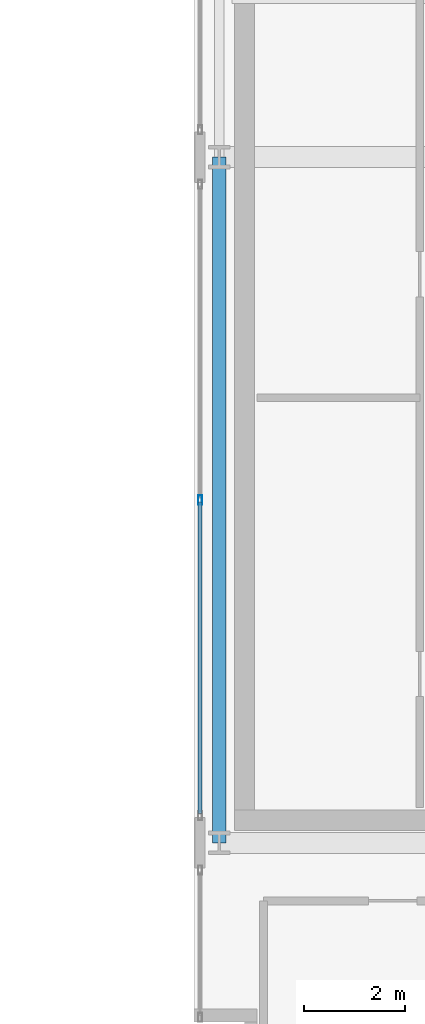
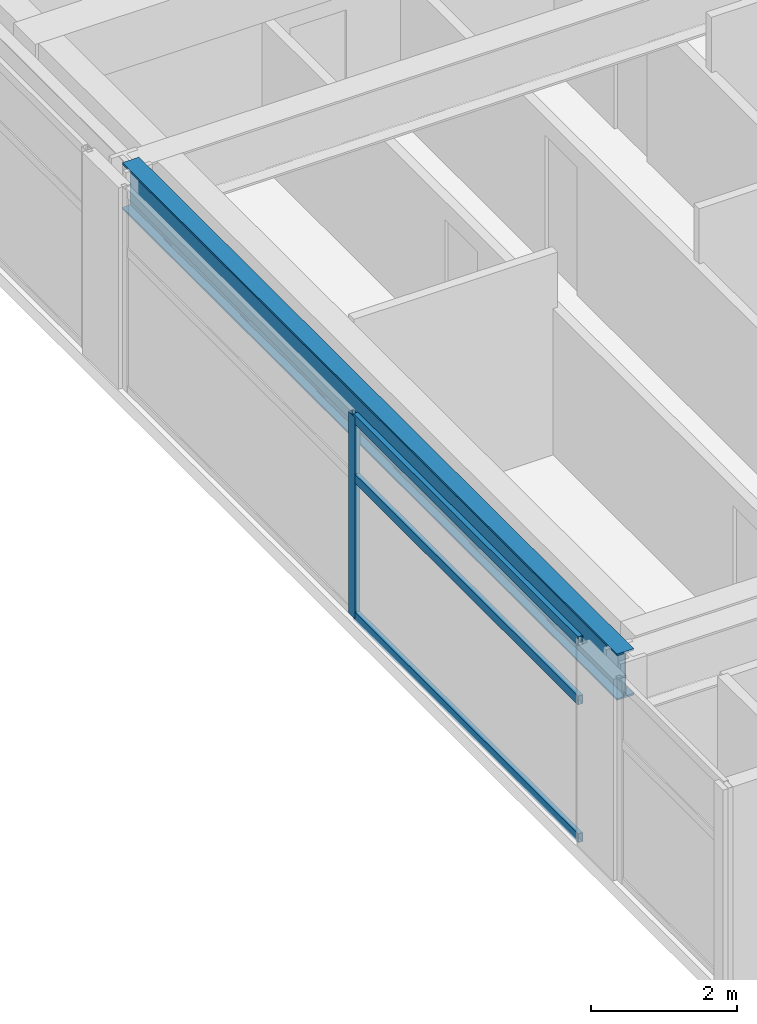
# One storey, part 9 of 25: 4 members, 1 beam, 1 element without a shape of its own.
"""IFC4 building model written with IfcOpenShell, lengths in metres."""

from ifc_helpers import new_model, si_unit, direction, frame, origin, origin_2d, place, context, subcontext, project, spatial, hollow_rectangle, i_section, extrude, source, transform, mapped, material, layer, layer_set, material_profile, profile_set, type_object, element, aggregate, save


model = new_model("IFC4")

# Units and contexts
model_context = context("Model", 3, precision=1e-05, world=origin(), true_north=direction((0.0, 1.0)))
body_context = subcontext(model_context, "Body", "Model", "MODEL_VIEW")
ifc_project = project(units=[si_unit("LENGTHUNIT", "METRE"), si_unit("AREAUNIT", "SQUARE_METRE"), si_unit("VOLUMEUNIT", "CUBIC_METRE"), si_unit("PLANEANGLEUNIT", "RADIAN"), si_unit("MASSUNIT", "GRAM", prefix="KILO")], contexts=[model_context])

# Site, building, storey
site_placement = place(None, origin())
site = spatial("IfcSite", under=ifc_project, at=site_placement, CompositionType="ELEMENT")
building_placement = place(site_placement, origin())
building = spatial("IfcBuilding", under=site, at=building_placement, Name="Ocotamira Hotel", CompositionType="ELEMENT")
storey_placement = place(building_placement, frame((0.0, 0.0, 261.60009765625)))
storey = spatial("IfcBuildingStorey", under=building, at=storey_placement, Name="L66", CompositionType="ELEMENT", Elevation=261.60009765625)

# Beam
ifc_material_1 = material(Name="Steel ASTM A992 Grade 50", Category="steel")
ifc_material_profile_1 = material_profile(ifc_material_1, i_section(OverallWidth=0.26611328125, OverallDepth=0.779052734375, WebThickness=0.0166015625, FlangeThickness=0.030029296875, FilletRadius=0.01806640625, at=origin_2d()), Name="W30X148")
ifc_profile_set_1 = profile_set([ifc_material_profile_1], Name="Steel ASTM A992 Grade 50")
beam_type = type_object("IfcBeamType", Name="BM-GIRD-W30X148", PredefinedType="BEAM", material=ifc_profile_set_1)
shared_shape_1 = source(origin(), body_context, "Body", "SweptSolid", [
    extrude(i_section(OverallWidth=0.26611328125, OverallDepth=0.779052734375, WebThickness=0.0166015625, FlangeThickness=0.030029296875, FilletRadius=0.01806640625, at=origin_2d()), origin(), (0.0, 0.0, 1.0), 13.599853515625),
])
beam_placement = place(storey_placement, frame((40.5, 14.550048828125, 2.990478515625), z_axis=(0.0, 1.0, 0.0), x_axis=(-1.0, 0.0, 0.0)))
element("IfcBeam", 1, at=beam_placement, inside=storey, type_object=beam_type, Name="L66 Beam X40.5 Y14.55-28.15", PredefinedType="BEAM", context=body_context, shape_type="MappedRepresentation", body=[
    mapped(shared_shape_1, transform((0.0, 0.0, 0.0), scale=1.0)),
])

# Curtain wall, members
ifc_material_2 = material(Name="Anodised pale-metal aluminium and solar glass", Category="aluminium")
ifc_layer = layer(ifc_material_2, 0.2099609375)
ifc_layer_set = layer_set([ifc_layer], Name="Anodised pale-metal aluminium and solar glass")
curtain_wall_type = type_object("IfcCurtainWallType", Name="CW-SYS7-PEAK", PredefinedType="NOTDEFINED", material=ifc_layer_set)
curtain_wall_placement = place(storey_placement, origin())
curtain_wall = element("IfcCurtainWall", 2, at=curtain_wall_placement, inside=storey, type_object=curtain_wall_type, Name="L66 Curtain Wall CW-7 CW-L66-EI2", PredefinedType="NOTDEFINED")
ifc_material_3 = material(Name="Anodised pale-metal aluminium 6063-T6", Category="aluminium")
ifc_material_profile_2 = material_profile(ifc_material_3, hollow_rectangle(XDim=0.080078125, YDim=0.179931640625, WallThickness=0.006103515625, at=origin_2d()), Name="HSS180X80X6")
ifc_profile_set_2 = profile_set([ifc_material_profile_2], Name="Anodised pale-metal aluminium 6063-T6")
member_type_1 = type_object("IfcMemberType", Name="CWM-180X75", PredefinedType="MULLION", material=ifc_profile_set_2)
shared_shape_2 = source(origin(), body_context, "Body", "SweptSolid", [
    extrude(hollow_rectangle(XDim=0.080078125, YDim=0.179931640625, WallThickness=0.006103515625, at=origin_2d()), origin(), (0.0, 0.0, 1.0), 3.3798828125),
])
member_1_placement = place(storey_placement, frame((40.1201171875, 21.35009765625, 0.0), z_axis=(0.0, 0.0, 1.0), x_axis=(-1.0, 0.0, 0.0)))
member_1 = element("IfcMember", 3, at=member_1_placement, type_object=member_type_1, Name="CW-7 mullion 2", PredefinedType="MULLION", context=body_context, shape_type="MappedRepresentation", body=[
    mapped(shared_shape_2, transform((0.0, 0.0, 0.0), scale=1.0)),
])
ifc_material_profile_3 = material_profile(ifc_material_3, hollow_rectangle(XDim=0.074951171875, YDim=0.14990234375, WallThickness=0.006103515625, at=origin_2d()), Name="HSS150X75X6")
ifc_profile_set_3 = profile_set([ifc_material_profile_3], Name="Anodised pale-metal aluminium 6063-T6")
member_type_2 = type_object("IfcMemberType", Name="CWT-150X75", PredefinedType="USERDEFINED", material=ifc_profile_set_3)
shared_shape_3 = source(origin(), body_context, "Body", "SweptSolid", [
    extrude(hollow_rectangle(XDim=0.074951171875, YDim=0.14990234375, WallThickness=0.006103515625, at=origin_2d()), origin(), (0.0, 0.0, 1.0), 6.18017578125),
])
member_2_placement = place(storey_placement, frame((40.1201171875, 15.1298828125, 0.037353515625), z_axis=(0.0, 1.0, 0.0), x_axis=(-1.0, 0.0, 0.0)))
member_2 = element("IfcMember", 4, at=member_2_placement, type_object=member_type_2, Name="CW-7 transom 1.1", ObjectType="TRANSOM", PredefinedType="USERDEFINED", context=body_context, shape_type="MappedRepresentation", body=[
    mapped(shared_shape_3, transform((0.0, 0.0, 0.0), scale=1.0)),
])
member_3_placement = place(storey_placement, frame((40.1201171875, 15.1298828125, 2.349853515625), z_axis=(0.0, 1.0, 0.0), x_axis=(-1.0, 0.0, 0.0)))
member_3 = element("IfcMember", 5, at=member_3_placement, type_object=member_type_2, Name="CW-7 transom 1.2", ObjectType="TRANSOM", PredefinedType="USERDEFINED", context=body_context, shape_type="MappedRepresentation", body=[
    mapped(shared_shape_3, transform((0.0, 0.0, 0.0), scale=1.0)),
])
member_4_placement = place(storey_placement, frame((40.1201171875, 15.1298828125, 3.34228515625), z_axis=(0.0, 1.0, 0.0), x_axis=(-1.0, 0.0, 0.0)))
member_4 = element("IfcMember", 6, at=member_4_placement, type_object=member_type_2, Name="CW-7 transom 1.3", ObjectType="TRANSOM", PredefinedType="USERDEFINED", context=body_context, shape_type="MappedRepresentation", body=[
    mapped(shared_shape_3, transform((0.0, 0.0, 0.0), scale=1.0)),
])
aggregate(curtain_wall, [member_1, member_2, member_3, member_4])

save(model, "model.ifc")
